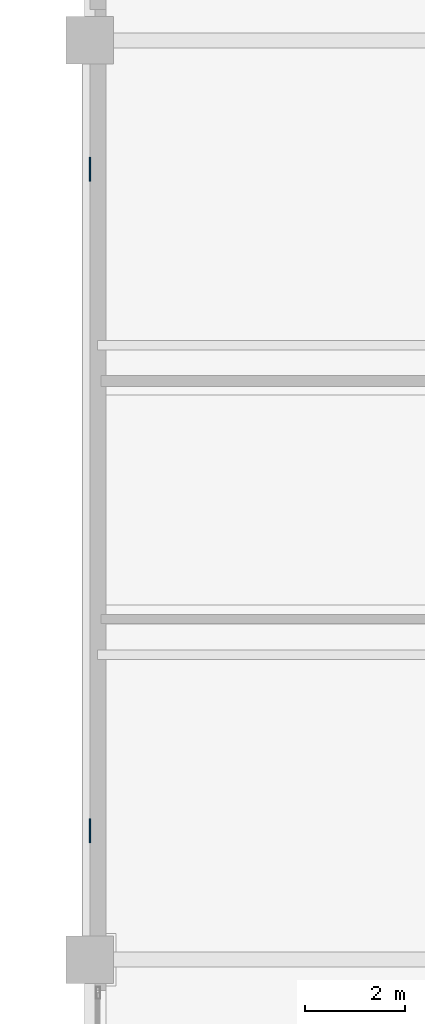
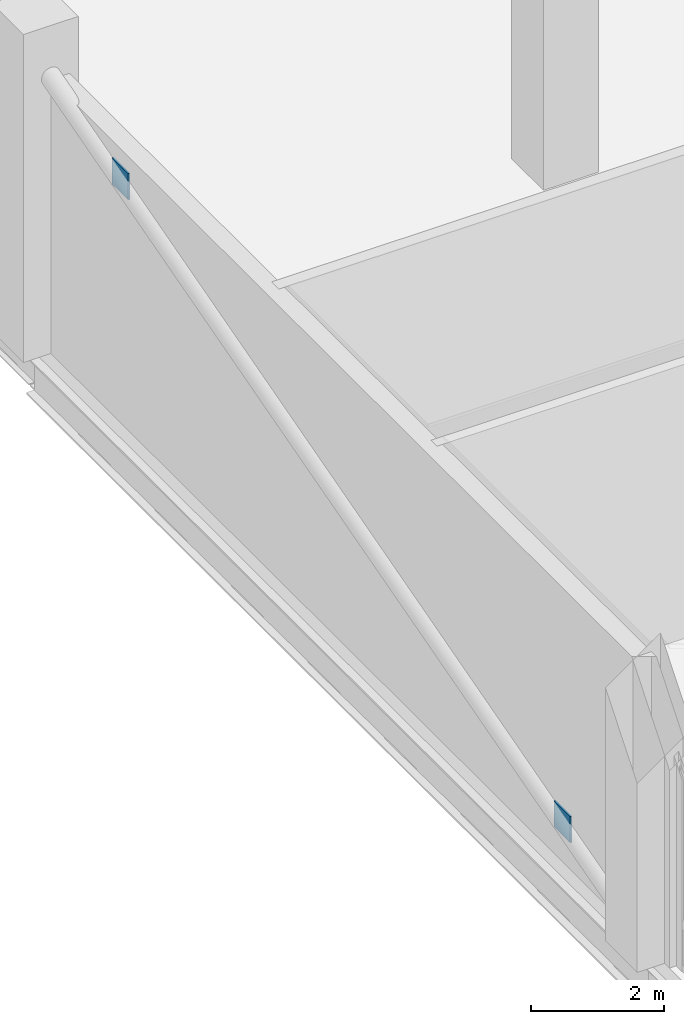
# One storey, part 19 of 32: 2 plates.
"""IFC4 building model written with IfcOpenShell, lengths in metres."""

from ifc_helpers import new_model, si_unit, direction, frame, origin, origin_2d, place, context, subcontext, project, spatial, rectangle, extrude, material, layer, layer_set, type_object, element, save


model = new_model("IFC4")

# Units and contexts
model_context = context("Model", 3, precision=1e-05, world=origin(), true_north=direction((0.0, 1.0)))
body_context = subcontext(model_context, "Body", "Model", "MODEL_VIEW")
ifc_project = project(units=[si_unit("LENGTHUNIT", "METRE"), si_unit("AREAUNIT", "SQUARE_METRE"), si_unit("VOLUMEUNIT", "CUBIC_METRE"), si_unit("PLANEANGLEUNIT", "RADIAN"), si_unit("MASSUNIT", "GRAM", prefix="KILO")], contexts=[model_context])

# Site, building, storey
site_placement = place(None, origin())
site = spatial("IfcSite", under=ifc_project, at=site_placement, CompositionType="ELEMENT")
building_placement = place(site_placement, origin())
building = spatial("IfcBuilding", under=site, at=building_placement, Name="Punatoya Terracotta Tower", CompositionType="ELEMENT")
storey_placement = place(building_placement, origin())
storey = spatial("IfcBuildingStorey", under=building, at=storey_placement, Name="L00", CompositionType="ELEMENT", Elevation=0.0)

# Plates
ifc_material = material(Name="Steel S460", Category="steel")
ifc_layer = layer(ifc_material, 0.031982421875)
ifc_layer_set = layer_set([ifc_layer], Name="Steel S460")
plate_type = type_object("IfcPlateType", Name="PLT-END-32", PredefinedType="USERDEFINED", material=ifc_layer_set)
for number, where, z_axis, x_axis, name in (
    (1, (-37.0, -6.6240234375, 0.505126953125), (0.0, 0.0, 1.0), (1.0, 0.0, 0.0), "L00 Podium Brace PBR-1 End Connection Plate 1"),
    (2, (-37.0, 6.6240234375, 4.23486328125), (0.0, 0.0, 1.0), (1.0, 0.0, 0.0), "L00 Podium Brace PBR-1 End Connection Plate 2"),
):
    element("IfcPlate", number, at=place(storey_placement, frame(where, z_axis=z_axis, x_axis=x_axis)), inside=storey, type_object=plate_type, Name=name, ObjectType="FLANGE_PLATE", PredefinedType="USERDEFINED", context=body_context, shape_type="SweptSolid", body=[
        extrude(rectangle(XDim=0.031982421875, YDim=0.47998046875, at=origin_2d()), origin(), (0.0, 0.0, 1.0), 0.47998046875),
    ])

save(model, "model.ifc")
